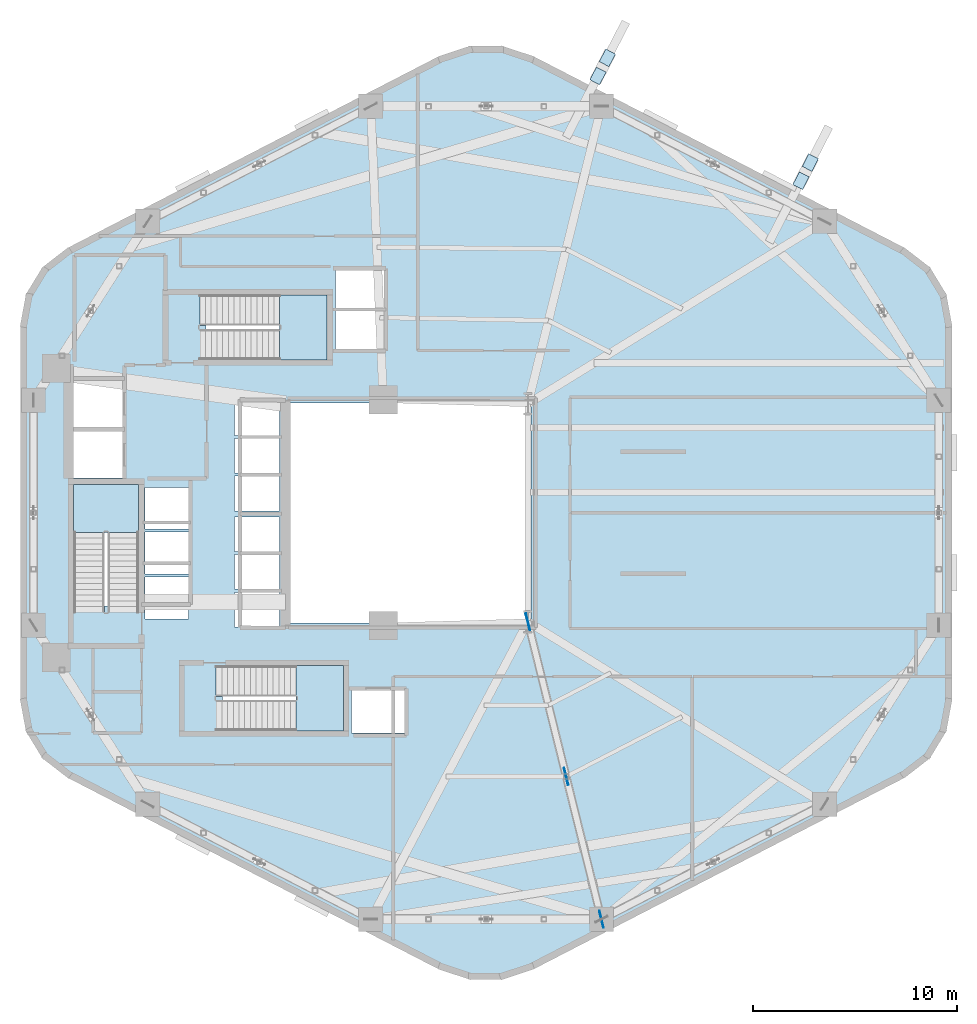
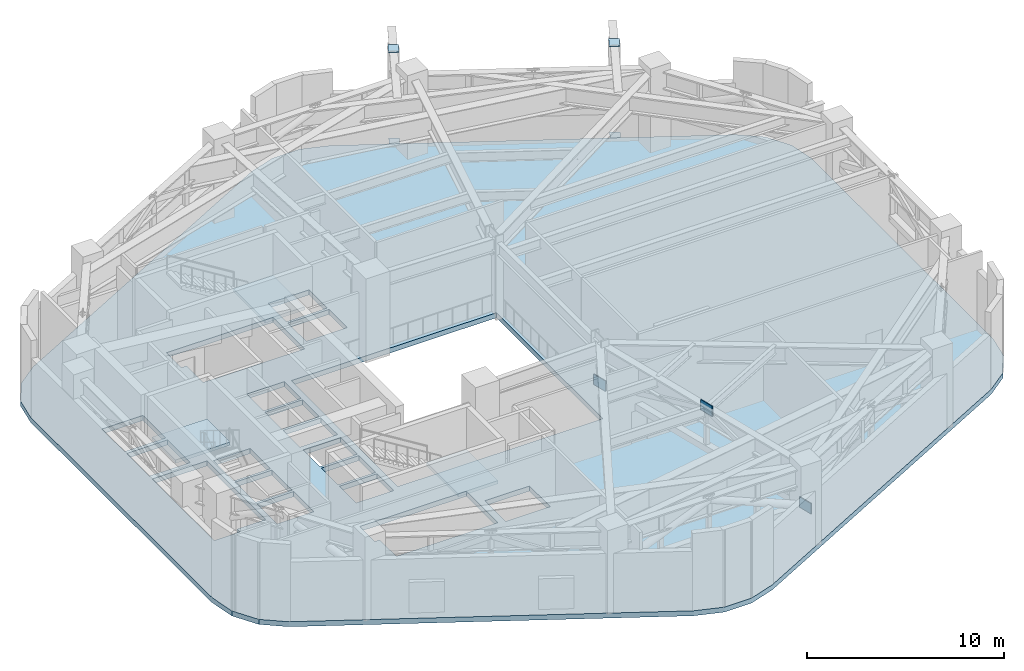
# One storey, part 7 of 14: 7 plates, 4 slabs, 3 elements without a shape of their own.
"""IFC4 building model written with IfcOpenShell, lengths in metres."""

import ifcopenshell
import ifcopenshell.guid

model = None  # the IFC model being written
_history = None  # IfcOwnerHistory: only IFC2X3 demands one
_inside = {}  # id of a spatial element -> (the spatial element, [elements in it])
_under = {}  # id of a project, library or spatial element -> (it, [spatial elements below it])
_declared = {}  # id of a project -> (the project, [libraries it declares])
_typed = {}  # id of a type object -> (the type object, [elements of that type])
_made_of = {}  # id of a material, layer set ... -> (it, [elements and type objects made of it])


def new_model(schema):
    """Start an empty IFC model of exactly this schema.

    Asked for "IFC4X3", IfcOpenShell would pick the latest addendum, in which some entities
    have other attributes; the version numbers below select the first issue.
    IFC2X3 requires an IfcOwnerHistory on every rooted entity: one is made here for all.
    """
    global model, _history
    if schema == "IFC4X3":
        model = ifcopenshell.file(schema_version=(4, 3, 0, 0))
    else:
        model = ifcopenshell.file(schema=schema)
    _inside.clear()
    _under.clear()
    _declared.clear()
    _typed.clear()
    _made_of.clear()
    _history = None
    if model.schema == "IFC2X3":
        org = make("IfcOrganization", Name="unknown")
        user = make(
            "IfcPersonAndOrganization",
            ThePerson=make("IfcPerson", FamilyName="unknown"),
            TheOrganization=org,
        )
        app = make(
            "IfcApplication",
            ApplicationDeveloper=org,
            Version="unknown",
            ApplicationFullName="unknown",
            ApplicationIdentifier="unknown",
        )
        _history = make(
            "IfcOwnerHistory",
            OwningUser=user,
            OwningApplication=app,
            ChangeAction="ADDED",
            CreationDate=0,
        )
    return model


def make(cls, **values):
    """One entity of the class cls with the attributes given. An attribute that is None is left unset."""
    return model.create_entity(
        cls, **{name: value for name, value in values.items() if value is not None}
    )


def rooted(cls, **values):
    """An entity with a GlobalId (a new one), such as an element, a storey or a relation."""
    return make(cls, GlobalId=ifcopenshell.guid.new(), OwnerHistory=_history, **values)


def si_unit(unit_type, name, prefix=None):
    """IfcSIUnit, for example si_unit("LENGTHUNIT", "METRE", prefix="MILLI")."""
    return make("IfcSIUnit", UnitType=unit_type, Prefix=prefix, Name=name)


def assignment(units):
    """IfcUnitAssignment: the units of a project."""
    return None if units is None else make("IfcUnitAssignment", Units=units)


def point(xyz):
    """IfcCartesianPoint."""
    return None if xyz is None else make("IfcCartesianPoint", Coordinates=xyz)


def direction(xyz):
    """IfcDirection."""
    return None if xyz is None else make("IfcDirection", DirectionRatios=xyz)


def frame(location, z_axis=None, x_axis=None):
    """IfcAxis2Placement3D, a coordinate frame: its origin and axes. An axis left out is left unset."""
    return make(
        "IfcAxis2Placement3D",
        Location=point(location),
        Axis=direction(z_axis),
        RefDirection=direction(x_axis),
    )


def frame_2d(location, x_axis=None):
    """IfcAxis2Placement2D, a coordinate frame in the plane: its origin and x axis."""
    return make(
        "IfcAxis2Placement2D", Location=point(location), RefDirection=direction(x_axis)
    )


def origin():
    """The frame at (0, 0, 0) with its axes left unset."""
    return frame((0.0, 0.0, 0.0))


def origin_2d():
    """The frame at (0, 0) in the plane with its x axis left unset."""
    return frame_2d((0.0, 0.0))


def place(relative_to, where):
    """IfcLocalPlacement: puts the frame where relative to a parent placement (None: the world)."""
    return make(
        "IfcLocalPlacement", PlacementRelTo=relative_to, RelativePlacement=where
    )


def context(
    kind, dimensions, precision=None, world=None, true_north=None, identifier=None
):
    """IfcGeometricRepresentationContext, for example the 3D "Model" context."""
    return make(
        "IfcGeometricRepresentationContext",
        ContextIdentifier=identifier,
        ContextType=kind,
        CoordinateSpaceDimension=dimensions,
        Precision=precision,
        WorldCoordinateSystem=world,
        TrueNorth=true_north,
    )


def subcontext(parent, identifier, kind, view, scale=None):
    """IfcGeometricRepresentationSubContext, for example "Body" below "Model"."""
    return make(
        "IfcGeometricRepresentationSubContext",
        ContextIdentifier=identifier,
        ContextType=kind,
        ParentContext=parent,
        TargetScale=scale,
        TargetView=view,
    )


def project(units=None, contexts=None):
    """IfcProject with its units and contexts."""
    return rooted(
        "IfcProject",
        Name="project",
        RepresentationContexts=contexts,
        UnitsInContext=assignment(units),
    )


def spatial(cls, under=None, at=None, **own):
    """A site, building, storey or space (cls), placed at a placement, below another one or the project."""
    s = rooted(cls, ObjectPlacement=at, **own)
    if under is not None:
        _under.setdefault(under.id(), (under, []))[1].append(s)
    return s


def polyline(points):
    """IfcPolyline through the points."""
    return make("IfcPolyline", Points=[point(p) for p in points])


def profile(cls, at=None, kind="AREA", **sizes):
    """A parametric profile (cls). Its sizes go by their IFC names, for example OverallWidth=200.0."""
    return make(cls, ProfileType=kind, Position=at, **sizes)


def rectangle(**sizes):
    """IfcRectangleProfileDef."""
    return profile("IfcRectangleProfileDef", **sizes)


def outline(outer, holes=None, kind="AREA"):
    """IfcArbitraryClosedProfileDef: a profile drawn as a closed curve; with holes, ...WithVoids."""
    if holes is None:
        return make("IfcArbitraryClosedProfileDef", ProfileType=kind, OuterCurve=outer)
    return make(
        "IfcArbitraryProfileDefWithVoids",
        ProfileType=kind,
        OuterCurve=outer,
        InnerCurves=holes,
    )


def extrude(swept, where, along, depth):
    """IfcExtrudedAreaSolid: the profile swept, set in the frame where, extruded along a direction by depth."""
    return make(
        "IfcExtrudedAreaSolid",
        SweptArea=swept,
        Position=where,
        ExtrudedDirection=direction(along),
        Depth=depth,
    )


def shape(context_of_items, identifier, shape_type, items):
    """IfcShapeRepresentation: the items that make up one representation, for example the "Body"."""
    return make(
        "IfcShapeRepresentation",
        ContextOfItems=context_of_items,
        RepresentationIdentifier=identifier,
        RepresentationType=shape_type,
        Items=items,
    )


def material(Name=None, Category=None):
    """IfcMaterial."""
    return make("IfcMaterial", Name=Name, Category=Category)


def layer(
    of_material, thickness, ventilated=None, Name=None, Category=None, Priority=None
):
    """IfcMaterialLayer: one layer of a wall or slab, of a material (None: an air gap)."""
    return make(
        "IfcMaterialLayer",
        Material=of_material,
        LayerThickness=thickness,
        IsVentilated=ventilated,
        Name=Name,
        Category=Category,
        Priority=Priority,
    )


def layer_set(layers, Name=None):
    """IfcMaterialLayerSet."""
    return make("IfcMaterialLayerSet", MaterialLayers=layers, LayerSetName=Name)


def made_of(thing, what):
    """Note that an element or type object is made of a material, layer set ...; save() writes the relation."""
    if what is not None:
        _made_of.setdefault(what.id(), (what, []))[1].append(thing)
    return thing


def type_object(cls, material=None, **own):
    """A type object (cls), such as IfcWallType, which elements share."""
    return made_of(rooted(cls, **own), material)


def element(
    cls,
    number,
    at=None,
    inside=None,
    cuts=None,
    type_object=None,
    material=None,
    context=None,
    identifier="Body",
    shape_type=None,
    held_by="IfcProductDefinitionShape",
    body=None,
    shapes=None,
    **own,
):
    """One element of the class cls, such as IfcWall. Its Tag is "e" and its number.

    at: its placement. inside: the storey or other place that contains it. cuts: it is an
    opening in that element (IfcRelVoidsElement). A single representation is given by context,
    identifier, shape_type and body (its items); several are given by shapes. held_by: the class
    of the entity that holds the representations. save() writes the other relations.
    """
    e = rooted(cls, Tag="e%d" % number, ObjectPlacement=at, **own)
    if body is not None:
        shapes = [shape(context, identifier, shape_type, body)]
    if shapes is not None:
        e.Representation = make(held_by, Representations=shapes)
    if inside is not None:
        _inside.setdefault(inside.id(), (inside, []))[1].append(e)
    if cuts is not None:
        rooted(
            "IfcRelVoidsElement", RelatingBuildingElement=cuts, RelatedOpeningElement=e
        )
    if type_object is not None:
        _typed.setdefault(type_object.id(), (type_object, []))[1].append(e)
    return made_of(e, material)


def aggregate(whole, parts):
    """IfcRelAggregates: a whole, such as a stair, and the parts it consists of."""
    return rooted("IfcRelAggregates", RelatingObject=whole, RelatedObjects=parts)


def save(model, path):
    """Write the relations noted so far, then the file.

    IfcRelAggregates (storeys below a building ...), IfcRelContainedInSpatialStructure (elements
    in a storey), IfcRelDefinesByType, IfcRelAssociatesMaterial and IfcRelDeclares: one each for
    every whole, place, type object, material and project.
    """
    for whole, parts in _under.values():
        aggregate(whole, parts)
    for where, things in _inside.values():
        rooted(
            "IfcRelContainedInSpatialStructure",
            RelatedElements=things,
            RelatingStructure=where,
        )
    for kind, things in _typed.values():
        rooted("IfcRelDefinesByType", RelatedObjects=things, RelatingType=kind)
    for what, things in _made_of.values():
        rooted("IfcRelAssociatesMaterial", RelatedObjects=things, RelatingMaterial=what)
    for by, libraries in _declared.values():
        rooted("IfcRelDeclares", RelatingContext=by, RelatedDefinitions=libraries)
    model.write(path)


model = new_model("IFC4")

# Units and contexts
model_context = context("Model", 3, precision=1e-05, world=origin(), true_north=direction((0.0, 1.0)))
body_context = subcontext(model_context, "Body", "Model", "MODEL_VIEW")
ifc_project = project(units=[si_unit("LENGTHUNIT", "METRE"), si_unit("AREAUNIT", "SQUARE_METRE"), si_unit("VOLUMEUNIT", "CUBIC_METRE"), si_unit("PLANEANGLEUNIT", "RADIAN"), si_unit("MASSUNIT", "GRAM", prefix="KILO"), si_unit("THERMODYNAMICTEMPERATUREUNIT", "KELVIN"), si_unit("POWERUNIT", "WATT")], contexts=[model_context])

# Site, building, storey
site_placement = place(None, origin())
site = spatial("IfcSite", under=ifc_project, at=site_placement, CompositionType="ELEMENT")
building_placement = place(site_placement, origin())
building = spatial("IfcBuilding", under=site, at=building_placement, Name="Skarre Station Tower", CompositionType="ELEMENT")
storey_placement = place(building_placement, frame((0.0, 0.0, 96.35009765625)))
storey = spatial("IfcBuildingStorey", under=building, at=storey_placement, Name="L25", CompositionType="ELEMENT", Elevation=96.35009765625)

# Plates
ifc_material_1 = material(Name="Steel ASTM A572 Grade 50", Category="steel")
ifc_layer_1 = layer(ifc_material_1, 0.031982421875, Name="Steel ASTM A572 Grade 50")
ifc_layer_set_1 = layer_set([ifc_layer_1], Name="Steel ASTM A572 Grade 50")
plate_type_1 = type_object("IfcPlateType", Name="Exoskeleton Strut Cap Plate 700x540x32", PredefinedType="USERDEFINED", material=ifc_layer_set_1)
for number, where, z_axis, x_axis, name in (
    (1, (52.85009765625, 40.298095703125, -0.3359375), (0.0, 0.0, 1.0), (0.458649554484, 0.888617232655, 0.0), "L25 SB-2 Exoskeleton Tier-1 Base Gusset S1"),
    (2, (53.30908203125, 41.18701171875, 4.75390625), (0.0, 0.0, 1.0), (0.458649554484, 0.888617232655, 0.0), "L25 SB-2 Exoskeleton Tier-1 Head Gusset S1"),
    (3, (42.889892578125, 45.43896484375, -0.3359375), (0.0, 0.0, 1.0), (0.458649554484, 0.888617232655, 0.0), "L25 SB-2 Exoskeleton Tier-1 Base Gusset S2"),
    (4, (43.34912109375, 46.327880859375, 4.75390625), (0.0, 0.0, 1.0), (0.458649554484, 0.888617232655, 0.0), "L25 SB-2 Exoskeleton Tier-1 Head Gusset S2"),
):
    element("IfcPlate", number, at=place(storey_placement, frame(where, z_axis=z_axis, x_axis=x_axis)), inside=storey, type_object=plate_type_1, Name=name, ObjectType="STIFFENER_PLATE", PredefinedType="USERDEFINED", context=body_context, shape_type="SweptSolid", body=[
        extrude(rectangle(XDim=0.699951171875, YDim=0.5400390625, at=origin_2d()), origin(), (0.0, 0.0, 1.0), 0.031982421875),
    ])
ifc_layer_2 = layer(ifc_material_1, 0.0400390625, Name="Steel ASTM A572 Grade 50")
ifc_layer_set_2 = layer_set([ifc_layer_2], Name="Steel ASTM A572 Grade 50")
plate_type_2 = type_object("IfcPlateType", Name="Outrigger Heavy Gusset Plate 850x640x40", PredefinedType="USERDEFINED", material=ifc_layer_set_2)
for number, where, z_axis, x_axis, name in (
    (5, (41.326904296875, 11.06005859375, 4.31005859375), (0.0, 0.0, 1.0), (0.240075559726, -0.970754204535, 0.0), "L25 Outrigger Truss Gusset Plate 2"),
    (6, (39.449951171875, 18.64990234375, 1.93017578125), (0.0, 0.0, 1.0), (0.240075559726, -0.970754204535, 0.0), "L25 Outrigger Core Base Gusset Plate 2"),
    (7, (43.06005859375, 4.052978515625, 1.93017578125), (0.0, 0.0, 1.0), (0.240075559726, -0.970754204535, 0.0), "L25 Outrigger Perimeter Base Gusset Plate 2"),
):
    element("IfcPlate", number, at=place(storey_placement, frame(where, z_axis=z_axis, x_axis=x_axis)), inside=storey, type_object=plate_type_2, Name=name, ObjectType="GUSSET_PLATE", PredefinedType="USERDEFINED", context=body_context, shape_type="SweptSolid", body=[
        extrude(rectangle(XDim=0.85009765625, YDim=0.0400390625, at=origin_2d()), origin(), (0.0, 0.0, 1.0), 0.639892578125),
    ])

# Slab
ifc_material_2 = material(Name="Concrete C50/60", Category="concrete")
ifc_layer_3 = layer(ifc_material_2, 0.31005859375, Name="Concrete C50/60")
ifc_layer_set_3 = layer_set([ifc_layer_3], Name="Concrete C50/60")
slab_type_1 = type_object("IfcSlabType", Name="Podium & Plant Structural Slab 310", PredefinedType="FLOOR", material=ifc_layer_set_3)
slab_1_placement = place(storey_placement, frame((0.0, 0.0, -0.31005859375)))
element("IfcSlab", 8, at=slab_1_placement, inside=storey, type_object=slab_type_1, Name="L25 Zone 1 Structural Floor Slab", PredefinedType="FLOOR", context=body_context, shape_type="SweptSolid", body=[
    extrude(outline(polyline([(60.262939453125, 33.201904296875), (59.98193359375, 34.72412109375), (59.177001953125, 36.044921875), (57.9541015625, 36.991943359375), (39.708984375, 46.407958984375), (38.196044921875, 46.906005859375), (36.60400390625, 46.906005859375), (35.091064453125, 46.407958984375), (16.845947265625, 36.991943359375), (15.623046875, 36.044921875), (14.818115234375, 34.72412109375), (14.537109375, 33.201904296875), (14.537109375, 14.798095703125), (14.818115234375, 13.27587890625), (15.623046875, 11.955078125), (16.845947265625, 11.008056640625), (35.091064453125, 1.592041015625), (36.60400390625, 1.093994140625), (38.196044921875, 1.093994140625), (39.708984375, 1.592041015625), (57.9541015625, 11.008056640625), (59.177001953125, 11.955078125), (59.98193359375, 13.27587890625), (60.262939453125, 14.798095703125), (60.262939453125, 33.201904296875)]), holes=[polyline([(18.669921875, 19.419921875), (18.669921875, 19.123046875), (17.14990234375, 19.123046875), (17.14990234375, 25.39990234375), (20.35009765625, 25.39990234375), (20.35009765625, 19.419921875), (18.669921875, 19.419921875)]), polyline([(24.449951171875, 14.97998046875), (24.153076171875, 14.97998046875), (24.153076171875, 16.5), (30.39990234375, 16.5), (30.39990234375, 13.300048828125), (24.449951171875, 13.300048828125), (24.449951171875, 14.97998046875)]), polyline([(23.64990234375, 33.179931640625), (23.35302734375, 33.179931640625), (23.35302734375, 34.699951171875), (29.60009765625, 34.699951171875), (29.60009765625, 31.5), (23.64990234375, 31.5), (23.64990234375, 33.179931640625)]), polyline([(17.14990234375, 28.0), (19.550048828125, 28.0), (19.550048828125, 25.699951171875), (17.14990234375, 25.699951171875), (17.14990234375, 28.0)]), polyline([(17.14990234375, 30.5), (19.550048828125, 30.5), (19.550048828125, 28.199951171875), (17.14990234375, 28.199951171875), (17.14990234375, 30.5)]), polyline([(30.800048828125, 15.300048828125), (33.39990234375, 15.300048828125), (33.39990234375, 13.199951171875), (30.800048828125, 13.199951171875), (30.800048828125, 15.300048828125)]), polyline([(25.050048828125, 20.10009765625), (27.25, 20.10009765625), (27.25, 18.39990234375), (25.050048828125, 18.39990234375), (25.050048828125, 20.10009765625)]), polyline([(25.050048828125, 21.949951171875), (27.25, 21.949951171875), (27.25, 20.25), (25.050048828125, 20.25), (25.050048828125, 21.949951171875)]), polyline([(25.050048828125, 23.800048828125), (27.25, 23.800048828125), (27.25, 22.10009765625), (25.050048828125, 22.10009765625), (25.050048828125, 23.800048828125)]), polyline([(25.050048828125, 25.800048828125), (27.25, 25.800048828125), (27.25, 24.10009765625), (25.050048828125, 24.10009765625), (25.050048828125, 25.800048828125)]), polyline([(25.050048828125, 27.64990234375), (27.25, 27.64990234375), (27.25, 25.949951171875), (25.050048828125, 25.949951171875), (25.050048828125, 27.64990234375)]), polyline([(25.050048828125, 29.5), (27.25, 29.5), (27.25, 27.800048828125), (25.050048828125, 27.800048828125), (25.050048828125, 29.5)]), polyline([(20.64990234375, 20.85009765625), (22.800048828125, 20.85009765625), (22.800048828125, 18.800048828125), (20.64990234375, 18.800048828125), (20.64990234375, 20.85009765625)]), polyline([(20.64990234375, 23.050048828125), (22.800048828125, 23.050048828125), (22.800048828125, 21.0), (20.64990234375, 21.0), (20.64990234375, 23.050048828125)]), polyline([(20.64990234375, 25.25), (22.800048828125, 25.25), (22.800048828125, 23.199951171875), (20.64990234375, 23.199951171875), (20.64990234375, 25.25)]), polyline([(30.0, 33.89990234375), (32.39990234375, 33.89990234375), (32.39990234375, 32.050048828125), (30.0, 32.050048828125), (30.0, 33.89990234375)]), polyline([(30.0, 35.89990234375), (32.39990234375, 35.89990234375), (32.39990234375, 34.050048828125), (30.0, 34.050048828125), (30.0, 35.89990234375)]), polyline([(27.60009765625, 29.39990234375), (39.60009765625, 29.39990234375), (39.60009765625, 18.60009765625), (27.60009765625, 18.60009765625), (27.60009765625, 29.39990234375)])]), origin(), (0.0, 0.0, 1.0), 0.31005859375),
])

# Stair, slab
ifc_material_3 = material(Name="Concrete C40/50", Category="concrete")
stair_type_1 = type_object("IfcStairType", Name="Reinforced Concrete Exit Stair ST-1", PredefinedType="HALF_TURN_STAIR", material=ifc_material_3)
stair_1_placement = place(storey_placement, origin())
stair_1 = element("IfcStair", 9, at=stair_1_placement, inside=storey, type_object=stair_type_1, Name="L25 Core Exit Stair ST-1", PredefinedType="HALF_TURN_STAIR")
ifc_layer_4 = layer(ifc_material_3, 0.219970703125, Name="Concrete C40/50")
ifc_layer_set_4 = layer_set([ifc_layer_4], Name="Concrete C40/50")
slab_type_2 = type_object("IfcSlabType", Name="Reinforced Concrete Stair & Ramp Landing 220", PredefinedType="LANDING", material=ifc_layer_set_4)
slab_2_placement = place(storey_placement, frame((0.0, 0.0, 2.39990234375)))
slab_2 = element("IfcSlab", 10, at=slab_2_placement, type_object=slab_type_2, Name="ST-1 landing 1", PredefinedType="LANDING", context=body_context, shape_type="SweptSolid", body=[
    extrude(outline(polyline([(20.35009765625, 23.0400390625), (20.35009765625, 25.39990234375), (17.14990234375, 25.39990234375), (17.14990234375, 23.0400390625), (20.35009765625, 23.0400390625)])), origin(), (0.0, 0.0, 1.0), 0.199951171875),
])
aggregate(stair_1, [slab_2])

stair_type_2 = type_object("IfcStairType", Name="Reinforced Concrete Exit Stair ST-2", PredefinedType="HALF_TURN_STAIR", material=ifc_material_3)
stair_2_placement = place(storey_placement, origin())
stair_2 = element("IfcStair", 11, at=stair_2_placement, inside=storey, type_object=stair_type_2, Name="L25 Core Exit Stair ST-2", PredefinedType="HALF_TURN_STAIR")
slab_3_placement = place(storey_placement, frame((0.0, 0.0, 2.39990234375)))
slab_3 = element("IfcSlab", 12, at=slab_3_placement, type_object=slab_type_2, Name="ST-2 landing 1", PredefinedType="LANDING", context=body_context, shape_type="SweptSolid", body=[
    extrude(outline(polyline([(28.070068359375, 13.300048828125), (30.39990234375, 13.300048828125), (30.39990234375, 16.5), (28.070068359375, 16.5), (28.070068359375, 13.300048828125)])), origin(), (0.0, 0.0, 1.0), 0.199951171875),
])
aggregate(stair_2, [slab_3])

stair_type_3 = type_object("IfcStairType", Name="Reinforced Concrete Exit Stair ST-3", PredefinedType="HALF_TURN_STAIR", material=ifc_material_3)
stair_3_placement = place(storey_placement, origin())
stair_3 = element("IfcStair", 13, at=stair_3_placement, inside=storey, type_object=stair_type_3, Name="L25 Core Exit Stair ST-3", PredefinedType="HALF_TURN_STAIR")
slab_4_placement = place(storey_placement, frame((0.0, 0.0, 2.39990234375)))
slab_4 = element("IfcSlab", 14, at=slab_4_placement, type_object=slab_type_2, Name="ST-3 landing 1", PredefinedType="LANDING", context=body_context, shape_type="SweptSolid", body=[
    extrude(outline(polyline([(27.27001953125, 31.5), (29.60009765625, 31.5), (29.60009765625, 34.699951171875), (27.27001953125, 34.699951171875), (27.27001953125, 31.5)])), origin(), (0.0, 0.0, 1.0), 0.199951171875),
])
aggregate(stair_3, [slab_4])

save(model, "model.ifc")
